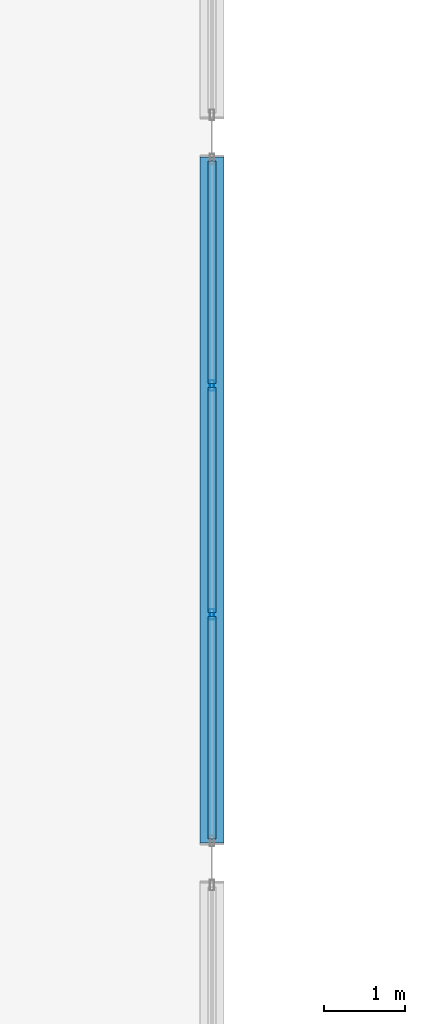
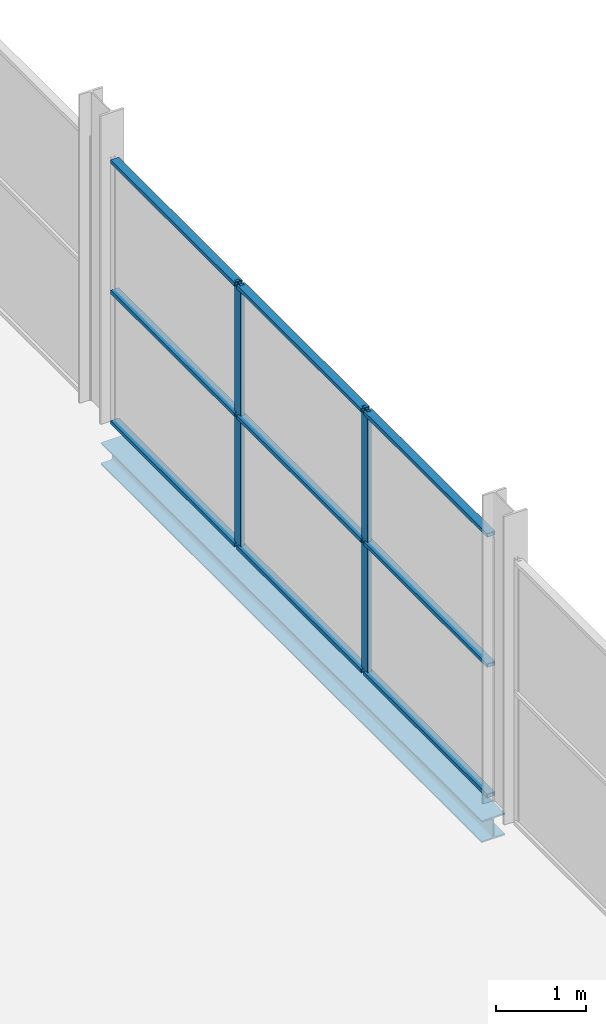
# One storey, part 15 of 59: 11 members, 1 beam, 1 element without a shape of its own.
"""IFC4 building model written with IfcOpenShell, lengths in metres."""

from ifc_helpers import new_model, si_unit, direction, frame, origin, origin_2d, place, context, subcontext, project, spatial, hollow_rectangle, i_section, extrude, material, layer, layer_set, material_profile, profile_set, type_object, element, aggregate, save


model = new_model("IFC4")

# Units and contexts
model_context = context("Model", 3, precision=1e-05, world=origin(), true_north=direction((0.0, 1.0)))
body_context = subcontext(model_context, "Body", "Model", "MODEL_VIEW")
ifc_project = project(units=[si_unit("LENGTHUNIT", "METRE"), si_unit("AREAUNIT", "SQUARE_METRE"), si_unit("VOLUMEUNIT", "CUBIC_METRE"), si_unit("PLANEANGLEUNIT", "RADIAN"), si_unit("MASSUNIT", "GRAM", prefix="KILO")], contexts=[model_context])

# Site, building, storey
site_placement = place(None, origin())
site = spatial("IfcSite", under=ifc_project, at=site_placement, CompositionType="ELEMENT")
building_placement = place(site_placement, origin())
building = spatial("IfcBuilding", under=site, at=building_placement, Name="Deido Ridge Mobility Hub", CompositionType="ELEMENT")
storey_placement = place(building_placement, frame((0.0, 0.0, 21.0)))
storey = spatial("IfcBuildingStorey", under=building, at=storey_placement, Name="L05", CompositionType="ELEMENT", Elevation=21.0)

# Curtain wall, members
ifc_material_1 = material(Name="Anodised aluminium EN AW-6063 T6", Category="aluminium")
ifc_layer = layer(ifc_material_1, 0.16796875, Name="Anodised aluminium EN AW-6063 T6")
ifc_layer_set = layer_set([ifc_layer], Name="Anodised aluminium EN AW-6063 T6")
curtain_wall_type = type_object("IfcCurtainWallType", Name="CW-GS-4", PredefinedType="USERDEFINED", material=ifc_layer_set)
curtain_wall_placement = place(storey_placement, origin())
curtain_wall = element("IfcCurtainWall", 1, at=curtain_wall_placement, inside=storey, type_object=curtain_wall_type, Name="Unitised curtain wall GS4", ObjectType="GLAZED SCREEN", PredefinedType="USERDEFINED")
ifc_material_profile_1 = material_profile(ifc_material_1, hollow_rectangle(XDim=0.050048828125, YDim=0.1298828125, WallThickness=0.00390625, at=origin_2d()), Name="RHS 50x130x4")
ifc_profile_set_1 = profile_set([ifc_material_profile_1], Name="Anodised aluminium EN AW-6063 T6")
member_type_1 = type_object("IfcMemberType", Name="MEM-MUL-50X130", PredefinedType="MULLION", material=ifc_profile_set_1)
member_1_placement = place(storey_placement, frame((99.0, 57.083251953125, 0.0), z_axis=(0.0, 0.0, 1.0), x_axis=(-1.0, 0.0, 0.0)))
member_1 = element("IfcMember", 2, at=member_1_placement, type_object=member_type_1, Name="GS4 mullion 2", PredefinedType="MULLION", context=body_context, shape_type="SweptSolid", body=[
    extrude(hollow_rectangle(XDim=0.050048828125, YDim=0.1298828125, WallThickness=0.00390625, at=origin_2d()), origin(), (0.0, 0.0, 1.0), 3.60009765625),
])
member_2_placement = place(storey_placement, frame((99.0, 59.916748046875, 0.0), z_axis=(0.0, 0.0, 1.0), x_axis=(-1.0, 0.0, 0.0)))
member_2 = element("IfcMember", 3, at=member_2_placement, type_object=member_type_1, Name="GS4 mullion 3", PredefinedType="MULLION", context=body_context, shape_type="SweptSolid", body=[
    extrude(hollow_rectangle(XDim=0.050048828125, YDim=0.1298828125, WallThickness=0.00390625, at=origin_2d()), origin(), (0.0, 0.0, 1.0), 3.60009765625),
])
ifc_material_profile_2 = material_profile(ifc_material_1, hollow_rectangle(XDim=0.10498046875, YDim=0.050048828125, WallThickness=0.00390625, at=origin_2d()), Name="RHS 105x50x4")
ifc_profile_set_2 = profile_set([ifc_material_profile_2], Name="Anodised aluminium EN AW-6063 T6")
member_type_2 = type_object("IfcMemberType", Name="MEM-TRN-105X50", PredefinedType="USERDEFINED", material=ifc_profile_set_2)
member_3_placement = place(storey_placement, frame((99.0, 54.300048828125, 0.02490234375), z_axis=(0.0, 1.0, 0.0), x_axis=(-1.0, 0.0, 0.0)))
member_3 = element("IfcMember", 4, at=member_3_placement, type_object=member_type_2, Name="GS4 transom 1.1", ObjectType="TRANSOM", PredefinedType="USERDEFINED", context=body_context, shape_type="SweptSolid", body=[
    extrude(hollow_rectangle(XDim=0.10498046875, YDim=0.050048828125, WallThickness=0.00390625, at=origin_2d()), origin(), (0.0, 0.0, 1.0), 2.75830078125),
])
member_4_placement = place(storey_placement, frame((99.0, 54.300048828125, 1.800048828125), z_axis=(0.0, 1.0, 0.0), x_axis=(-1.0, 0.0, 0.0)))
member_4 = element("IfcMember", 5, at=member_4_placement, type_object=member_type_2, Name="GS4 transom 1.2", ObjectType="TRANSOM", PredefinedType="USERDEFINED", context=body_context, shape_type="SweptSolid", body=[
    extrude(hollow_rectangle(XDim=0.10498046875, YDim=0.050048828125, WallThickness=0.00390625, at=origin_2d()), origin(), (0.0, 0.0, 1.0), 2.75830078125),
])
member_5_placement = place(storey_placement, frame((99.0, 54.300048828125, 3.574951171875), z_axis=(0.0, 1.0, 0.0), x_axis=(-1.0, 0.0, 0.0)))
member_5 = element("IfcMember", 6, at=member_5_placement, type_object=member_type_2, Name="GS4 transom 1.3", ObjectType="TRANSOM", PredefinedType="USERDEFINED", context=body_context, shape_type="SweptSolid", body=[
    extrude(hollow_rectangle(XDim=0.10498046875, YDim=0.050048828125, WallThickness=0.00390625, at=origin_2d()), origin(), (0.0, 0.0, 1.0), 2.75830078125),
])
member_6_placement = place(storey_placement, frame((99.0, 57.1083984375, 0.02490234375), z_axis=(0.0, 1.0, 0.0), x_axis=(-1.0, 0.0, 0.0)))
member_6 = element("IfcMember", 7, at=member_6_placement, type_object=member_type_2, Name="GS4 transom 2.1", ObjectType="TRANSOM", PredefinedType="USERDEFINED", context=body_context, shape_type="SweptSolid", body=[
    extrude(hollow_rectangle(XDim=0.10498046875, YDim=0.050048828125, WallThickness=0.00390625, at=origin_2d()), origin(), (0.0, 0.0, 1.0), 2.783203125),
])
member_7_placement = place(storey_placement, frame((99.0, 57.1083984375, 1.800048828125), z_axis=(0.0, 1.0, 0.0), x_axis=(-1.0, 0.0, 0.0)))
member_7 = element("IfcMember", 8, at=member_7_placement, type_object=member_type_2, Name="GS4 transom 2.2", ObjectType="TRANSOM", PredefinedType="USERDEFINED", context=body_context, shape_type="SweptSolid", body=[
    extrude(hollow_rectangle(XDim=0.10498046875, YDim=0.050048828125, WallThickness=0.00390625, at=origin_2d()), origin(), (0.0, 0.0, 1.0), 2.783203125),
])
member_8_placement = place(storey_placement, frame((99.0, 57.1083984375, 3.574951171875), z_axis=(0.0, 1.0, 0.0), x_axis=(-1.0, 0.0, 0.0)))
member_8 = element("IfcMember", 9, at=member_8_placement, type_object=member_type_2, Name="GS4 transom 2.3", ObjectType="TRANSOM", PredefinedType="USERDEFINED", context=body_context, shape_type="SweptSolid", body=[
    extrude(hollow_rectangle(XDim=0.10498046875, YDim=0.050048828125, WallThickness=0.00390625, at=origin_2d()), origin(), (0.0, 0.0, 1.0), 2.783203125),
])
member_9_placement = place(storey_placement, frame((99.0, 59.941650390625, 0.02490234375), z_axis=(0.0, 1.0, 0.0), x_axis=(-1.0, 0.0, 0.0)))
member_9 = element("IfcMember", 10, at=member_9_placement, type_object=member_type_2, Name="GS4 transom 3.1", ObjectType="TRANSOM", PredefinedType="USERDEFINED", context=body_context, shape_type="SweptSolid", body=[
    extrude(hollow_rectangle(XDim=0.10498046875, YDim=0.050048828125, WallThickness=0.00390625, at=origin_2d()), origin(), (0.0, 0.0, 1.0), 2.75830078125),
])
member_10_placement = place(storey_placement, frame((99.0, 59.941650390625, 1.800048828125), z_axis=(0.0, 1.0, 0.0), x_axis=(-1.0, 0.0, 0.0)))
member_10 = element("IfcMember", 11, at=member_10_placement, type_object=member_type_2, Name="GS4 transom 3.2", ObjectType="TRANSOM", PredefinedType="USERDEFINED", context=body_context, shape_type="SweptSolid", body=[
    extrude(hollow_rectangle(XDim=0.10498046875, YDim=0.050048828125, WallThickness=0.00390625, at=origin_2d()), origin(), (0.0, 0.0, 1.0), 2.75830078125),
])
member_11_placement = place(storey_placement, frame((99.0, 59.941650390625, 3.574951171875), z_axis=(0.0, 1.0, 0.0), x_axis=(-1.0, 0.0, 0.0)))
member_11 = element("IfcMember", 12, at=member_11_placement, type_object=member_type_2, Name="GS4 transom 3.3", ObjectType="TRANSOM", PredefinedType="USERDEFINED", context=body_context, shape_type="SweptSolid", body=[
    extrude(hollow_rectangle(XDim=0.10498046875, YDim=0.050048828125, WallThickness=0.00390625, at=origin_2d()), origin(), (0.0, 0.0, 1.0), 2.75830078125),
])
aggregate(curtain_wall, [member_1, member_2, member_3, member_4, member_5, member_6, member_7, member_8, member_9, member_10, member_11])

# Beam
ifc_material_2 = material(Name="Steel S355J2 EN 10025-2", Category="steel")
ifc_material_profile_3 = material_profile(ifc_material_2, i_section(OverallWidth=0.300048828125, OverallDepth=0.300048828125, WebThickness=0.010986328125, FlangeThickness=0.01904296875, FilletRadius=0.027099609375, at=origin_2d()), Name="HEB 300")
ifc_profile_set_3 = profile_set([ifc_material_profile_3], Name="Steel S355J2 EN 10025-2")
beam_type = type_object("IfcBeamType", Name="SPD-HEB300", PredefinedType="SPANDREL", material=ifc_profile_set_3)
beam_placement = place(storey_placement, frame((99.0, 54.25, -0.39501953125), z_axis=(0.0, 1.0, 0.0), x_axis=(-1.0, 0.0, 0.0)))
element("IfcBeam", 13, at=beam_placement, inside=storey, type_object=beam_type, Name="Floor beam SP1", PredefinedType="SPANDREL", context=body_context, shape_type="SweptSolid", body=[
    extrude(i_section(OverallWidth=0.300048828125, OverallDepth=0.300048828125, WebThickness=0.010986328125, FlangeThickness=0.01904296875, FilletRadius=0.027099609375, at=origin_2d()), origin(), (0.0, 0.0, 1.0), 8.5),
])

save(model, "model.ifc")
